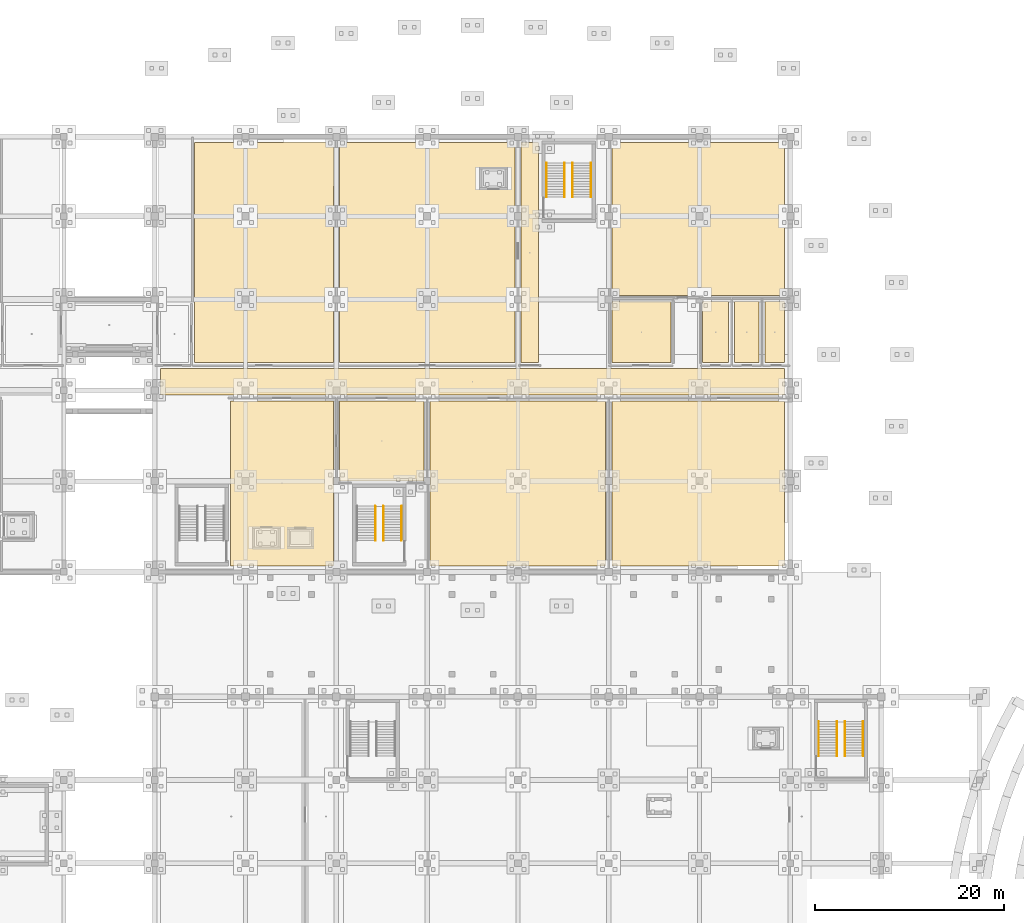
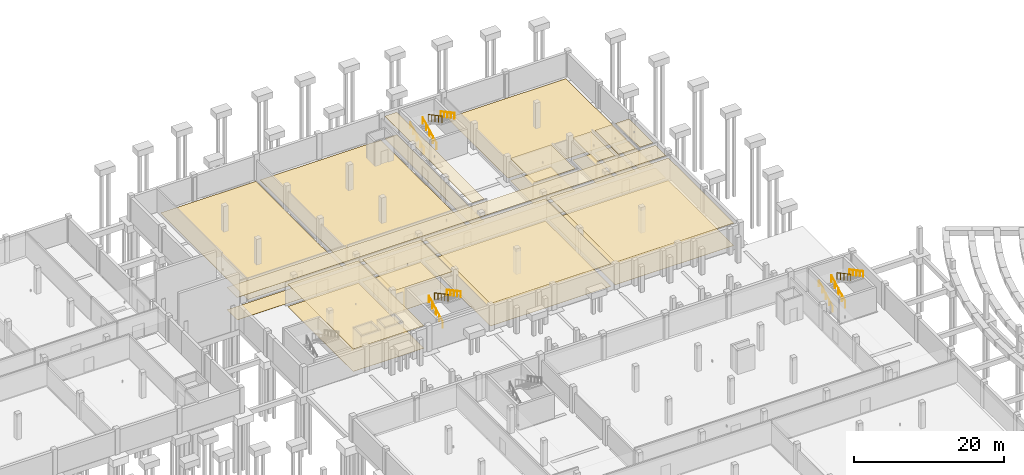
# One storey, part 30 of 31: 23 coverings, 11 railings, 3 elements without a shape of their own.
"""IFC4 building model written with IfcOpenShell, lengths in metres."""

from ifc_helpers import new_model, si_unit, direction, frame, origin, origin_2d, place, context, subcontext, project, spatial, polyline, circle, outline, extrude, material, layer, layer_set, type_object, element, aggregate, save


model = new_model("IFC4")

# Units and contexts
model_context = context("Model", 3, precision=1e-05, world=origin(), true_north=direction((0.0, 1.0)))
body_context = subcontext(model_context, "Body", "Model", "MODEL_VIEW")
ifc_project = project(units=[si_unit("LENGTHUNIT", "METRE"), si_unit("AREAUNIT", "SQUARE_METRE"), si_unit("VOLUMEUNIT", "CUBIC_METRE"), si_unit("PLANEANGLEUNIT", "RADIAN"), si_unit("MASSUNIT", "GRAM", prefix="KILO")], contexts=[model_context])

# Site, building, storey
site_placement = place(None, origin())
site = spatial("IfcSite", under=ifc_project, at=site_placement, CompositionType="ELEMENT")
building_placement = place(site_placement, origin())
building = spatial("IfcBuilding", under=site, at=building_placement, Name="Chalmorin Arch Market", CompositionType="ELEMENT")
storey_placement = place(building_placement, frame((0.0, 0.0, -4.199951171875)))
storey = spatial("IfcBuildingStorey", under=building, at=storey_placement, Name="B1", CompositionType="ELEMENT", Elevation=-4.199951171875)

# Coverings
ifc_material_1 = material(Name="Mineral Fibre Acoustic Tile")
ifc_layer_1 = layer(ifc_material_1, 0.044921875)
ifc_layer_set_1 = layer_set([ifc_layer_1], Name="Mineral Fibre Acoustic Tile")
covering_type_1 = type_object("IfcCoveringType", Name="AcousticBaffleCeiling-45", PredefinedType="CEILING", material=ifc_layer_set_1)
covering_1_placement = place(storey_placement, frame((0.0, 0.0, 3.635009765625)))
element("IfcCovering", 1, at=covering_1_placement, inside=storey, type_object=covering_type_1, Name="CLG-01-018", PredefinedType="CEILING", context=body_context, shape_type="SweptSolid", body=[
    extrude(outline(polyline([(56.02001953125, 72.6201171875), (66.8798828125, 72.6201171875), (66.8798828125, 90.080078125), (56.02001953125, 90.080078125), (56.02001953125, 72.6201171875)])), origin(), (0.0, 0.0, 1.0), 0.044921875),
])
covering_2_placement = place(storey_placement, frame((0.0, 0.0, 3.635009765625)))
element("IfcCovering", 2, at=covering_2_placement, inside=storey, type_object=covering_type_1, Name="CLG-01-020", PredefinedType="CEILING", context=body_context, shape_type="SweptSolid", body=[
    extrude(outline(polyline([(67.52001953125, 81.6201171875), (76.47998046875, 81.6201171875), (76.47998046875, 90.080078125), (67.52001953125, 90.080078125), (67.52001953125, 81.6201171875)])), origin(), (0.0, 0.0, 1.0), 0.044921875),
])
covering_3_placement = place(storey_placement, frame((0.0, 0.0, 3.635009765625)))
element("IfcCovering", 3, at=covering_3_placement, inside=storey, type_object=covering_type_1, Name="CLG-01-022", PredefinedType="CEILING", context=body_context, shape_type="SweptSolid", body=[
    extrude(outline(polyline([(77.1201171875, 72.6201171875), (95.679931640625, 72.6201171875), (95.679931640625, 90.080078125), (77.1201171875, 90.080078125), (77.1201171875, 72.6201171875)])), origin(), (0.0, 0.0, 1.0), 0.044921875),
])
covering_4_placement = place(storey_placement, frame((0.0, 0.0, 3.635009765625)))
element("IfcCovering", 4, at=covering_4_placement, inside=storey, type_object=covering_type_1, Name="CLG-01-024", PredefinedType="CEILING", context=body_context, shape_type="SweptSolid", body=[
    extrude(outline(polyline([(96.320068359375, 72.6201171875), (114.580078125, 72.6201171875), (114.580078125, 90.080078125), (96.320068359375, 90.080078125), (96.320068359375, 72.6201171875)])), origin(), (0.0, 0.0, 1.0), 0.044921875),
])
covering_5_placement = place(storey_placement, frame((0.0, 0.0, 3.635009765625)))
element("IfcCovering", 5, at=covering_5_placement, inside=storey, type_object=covering_type_1, Name="CLG-01-026", PredefinedType="CEILING", context=body_context, shape_type="SweptSolid", body=[
    extrude(outline(polyline([(48.6201171875, 90.719970703125), (114.580078125, 90.719970703125), (114.580078125, 93.47998046875), (48.6201171875, 93.47998046875), (48.6201171875, 90.719970703125)])), origin(), (0.0, 0.0, 1.0), 0.044921875),
])
covering_6_placement = place(storey_placement, frame((0.0, 0.0, 3.635009765625)))
element("IfcCovering", 6, at=covering_6_placement, inside=storey, type_object=covering_type_1, Name="CLG-01-028", PredefinedType="CEILING", context=body_context, shape_type="SweptSolid", body=[
    extrude(outline(polyline([(86.719970703125, 94.1201171875), (88.580078125, 94.1201171875), (88.580078125, 117.3798828125), (86.719970703125, 117.3798828125), (86.719970703125, 94.1201171875)])), origin(), (0.0, 0.0, 1.0), 0.044921875),
])
covering_7_placement = place(storey_placement, frame((0.0, 0.0, 3.635009765625)))
element("IfcCovering", 7, at=covering_7_placement, inside=storey, type_object=covering_type_1, Name="CLG-01-033", PredefinedType="CEILING", context=body_context, shape_type="SweptSolid", body=[
    extrude(outline(polyline([(96.320068359375, 94.1201171875), (102.580078125, 94.1201171875), (102.580078125, 100.580078125), (96.320068359375, 100.580078125), (96.320068359375, 94.1201171875)])), origin(), (0.0, 0.0, 1.0), 0.044921875),
])
ifc_material_2 = material(Name="Epoxy Resin Flooring")
ifc_layer_2 = layer(ifc_material_2, 0.02001953125)
ifc_layer_set_2 = layer_set([ifc_layer_2], Name="Epoxy Resin Flooring")
covering_type_2 = type_object("IfcCoveringType", Name="EpoxySlipResistantKitchenFloor-20", PredefinedType="FLOORING", material=ifc_layer_set_2)
covering_8_placement = place(storey_placement, origin())
element("IfcCovering", 8, at=covering_8_placement, inside=storey, type_object=covering_type_2, Name="FLR-02-023", PredefinedType="FLOORING", context=body_context, shape_type="SweptSolid", body=[
    extrude(outline(polyline([(96.320068359375, 72.6201171875), (114.580078125, 72.6201171875), (114.580078125, 90.080078125), (96.320068359375, 90.080078125), (96.320068359375, 72.6201171875)])), origin(), (0.0, 0.0, 1.0), 0.02001953125),
])
ifc_material_3 = material(Name="Gypsum Board Partition")
ifc_layer_3 = layer(ifc_material_3, 0.030029296875)
ifc_layer_set_3 = layer_set([ifc_layer_3], Name="Gypsum Board Partition")
covering_type_3 = type_object("IfcCoveringType", Name="MoistureResistantGypsumCeiling-30", PredefinedType="CEILING", material=ifc_layer_set_3)
covering_9_placement = place(storey_placement, frame((0.0, 0.0, 3.64990234375)))
element("IfcCovering", 9, at=covering_9_placement, inside=storey, type_object=covering_type_3, Name="CLG-03-035", PredefinedType="CEILING", context=body_context, shape_type="SweptSolid", body=[
    extrude(outline(polyline([(105.919921875, 94.1201171875), (108.679931640625, 94.1201171875), (108.679931640625, 100.580078125), (105.919921875, 100.580078125), (105.919921875, 94.1201171875)])), origin(), (0.0, 0.0, 1.0), 0.030029296875),
])
covering_10_placement = place(storey_placement, frame((0.0, 0.0, 3.64990234375)))
element("IfcCovering", 10, at=covering_10_placement, inside=storey, type_object=covering_type_3, Name="CLG-03-037", PredefinedType="CEILING", context=body_context, shape_type="SweptSolid", body=[
    extrude(outline(polyline([(109.320068359375, 94.1201171875), (111.8798828125, 94.1201171875), (111.8798828125, 100.580078125), (109.320068359375, 100.580078125), (109.320068359375, 94.1201171875)])), origin(), (0.0, 0.0, 1.0), 0.030029296875),
])
covering_11_placement = place(storey_placement, frame((0.0, 0.0, 3.64990234375)))
element("IfcCovering", 11, at=covering_11_placement, inside=storey, type_object=covering_type_3, Name="CLG-03-039", PredefinedType="CEILING", context=body_context, shape_type="SweptSolid", body=[
    extrude(outline(polyline([(112.52001953125, 94.1201171875), (114.580078125, 94.1201171875), (114.580078125, 100.580078125), (112.52001953125, 100.580078125), (112.52001953125, 94.1201171875)])), origin(), (0.0, 0.0, 1.0), 0.030029296875),
])
ifc_material_4 = material(Name="Ceramic Porcelain Tile")
ifc_layer_4 = layer(ifc_material_4, 0.01806640625)
ifc_layer_set_4 = layer_set([ifc_layer_4], Name="Ceramic Porcelain Tile")
covering_type_4 = type_object("IfcCoveringType", Name="PorcelainRestroomTileFloor-18", PredefinedType="FLOORING", material=ifc_layer_set_4)
covering_12_placement = place(storey_placement, origin())
element("IfcCovering", 12, at=covering_12_placement, inside=storey, type_object=covering_type_4, Name="FLR-03-034", PredefinedType="FLOORING", context=body_context, shape_type="SweptSolid", body=[
    extrude(outline(polyline([(105.919921875, 94.1201171875), (108.679931640625, 94.1201171875), (108.679931640625, 100.580078125), (105.919921875, 100.580078125), (105.919921875, 94.1201171875)])), origin(), (0.0, 0.0, 1.0), 0.01806640625),
])
covering_13_placement = place(storey_placement, origin())
element("IfcCovering", 13, at=covering_13_placement, inside=storey, type_object=covering_type_4, Name="FLR-03-036", PredefinedType="FLOORING", context=body_context, shape_type="SweptSolid", body=[
    extrude(outline(polyline([(109.320068359375, 94.1201171875), (111.8798828125, 94.1201171875), (111.8798828125, 100.580078125), (109.320068359375, 100.580078125), (109.320068359375, 94.1201171875)])), origin(), (0.0, 0.0, 1.0), 0.01806640625),
])
covering_14_placement = place(storey_placement, origin())
element("IfcCovering", 14, at=covering_14_placement, inside=storey, type_object=covering_type_4, Name="FLR-03-038", PredefinedType="FLOORING", context=body_context, shape_type="SweptSolid", body=[
    extrude(outline(polyline([(112.52001953125, 94.1201171875), (114.580078125, 94.1201171875), (114.580078125, 100.580078125), (112.52001953125, 100.580078125), (112.52001953125, 94.1201171875)])), origin(), (0.0, 0.0, 1.0), 0.01806640625),
])

# Stair, railings
ifc_material_5 = material(Name="Concrete C40/50", Category="concrete")
stair_type_1 = type_object("IfcStairType", Name="DoglegExitStair-28R-SC4", PredefinedType="HALF_TURN_STAIR", material=ifc_material_5)
stair_1_placement = place(storey_placement, origin())
stair_1 = element("IfcStair", 15, at=stair_1_placement, inside=storey, type_object=stair_type_1, Name="ST-08", PredefinedType="HALF_TURN_STAIR")
ifc_material_6 = material(Name="Stainless Steel 316", Category="steel")
ifc_layer_5 = layer(ifc_material_6, 0.048095703125)
ifc_layer_set_5 = layer_set([ifc_layer_5], Name="Stainless Steel 316")
railing_type_1 = type_object("IfcRailingType", Name="StairTubeHandrail-920", PredefinedType="HANDRAIL", material=ifc_layer_set_5)
railing_1_placement = place(storey_placement, frame((118.199951171875, 52.56005859375, 0.14990234375)))
railing_1 = element("IfcRailing", 16, at=railing_1_placement, type_object=railing_type_1, Name="HR-01-033", PredefinedType="HANDRAIL", context=body_context, shape_type="SweptSolid", body=[
    extrude(circle(Radius=0.02392578125, at=origin_2d()), frame((0.0, 0.0, 0.89599609375), z_axis=(0.0, 0.881479091078, 0.472223053219), x_axis=(-1.0, 0.0, 0.0)), (0.0, 0.0, 1.0), 4.12939453125),
    extrude(circle(Radius=0.02099609375, at=origin_2d()), origin(), (0.0, 0.0, 1.0), 0.871826171875),
    extrude(circle(Radius=0.02099609375, at=origin_2d()), frame((0.0, 0.909912109375, 0.487548828125)), (0.0, 0.0, 1.0), 0.871826171875),
    extrude(circle(Radius=0.02099609375, at=origin_2d()), frame((0.0, 1.81982421875, 0.97509765625)), (0.0, 0.0, 1.0), 0.871826171875),
    extrude(circle(Radius=0.02099609375, at=origin_2d()), frame((0.0, 2.72998046875, 1.46240234375)), (0.0, 0.0, 1.0), 0.871826171875),
    extrude(circle(Radius=0.02099609375, at=origin_2d()), frame((0.0, 3.639892578125, 1.949951171875)), (0.0, 0.0, 1.0), 0.871826171875),
])
railing_2_placement = place(storey_placement, frame((122.89990234375, 56.199951171875, 2.25)))
railing_2 = element("IfcRailing", 17, at=railing_2_placement, type_object=railing_type_1, Name="HR-01-036", PredefinedType="HANDRAIL", context=body_context, shape_type="SweptSolid", body=[
    extrude(circle(Radius=0.02392578125, at=origin_2d()), frame((0.0, 0.0, 0.89599609375), z_axis=(0.0, -0.881479091078, 0.472223053219), x_axis=(1.0, 0.0, 0.0)), (0.0, 0.0, 1.0), 4.12939453125),
    extrude(circle(Radius=0.02099609375, at=origin_2d()), origin(), (0.0, 0.0, 1.0), 0.871826171875),
    extrude(circle(Radius=0.02099609375, at=origin_2d()), frame((0.0, -0.909912109375, 0.487548828125)), (0.0, 0.0, 1.0), 0.871826171875),
    extrude(circle(Radius=0.02099609375, at=origin_2d()), frame((0.0, -1.81982421875, 0.97509765625)), (0.0, 0.0, 1.0), 0.871826171875),
    extrude(circle(Radius=0.02099609375, at=origin_2d()), frame((0.0, -2.72998046875, 1.46240234375)), (0.0, 0.0, 1.0), 0.871826171875),
    extrude(circle(Radius=0.02099609375, at=origin_2d()), frame((0.0, -3.639892578125, 1.949951171875)), (0.0, 0.0, 1.0), 0.871826171875),
])

stair_type_2 = type_object("IfcStairType", Name="DoglegExitStair-28R-SC6", PredefinedType="HALF_TURN_STAIR", material=ifc_material_5)
stair_2_placement = place(storey_placement, origin())
stair_2 = element("IfcStair", 18, at=stair_2_placement, inside=storey, type_object=stair_type_2, Name="ST-15", PredefinedType="HALF_TURN_STAIR")
railing_3_placement = place(storey_placement, frame((89.39990234375, 111.610107421875, 0.14990234375)))
railing_3 = element("IfcRailing", 19, at=railing_3_placement, type_object=railing_type_1, Name="HR-01-063", PredefinedType="HANDRAIL", context=body_context, shape_type="SweptSolid", body=[
    extrude(circle(Radius=0.02392578125, at=origin_2d()), frame((0.0, 0.0, 0.89599609375), z_axis=(0.0, 0.881479091078, 0.472223053219), x_axis=(-1.0, 0.0, 0.0)), (0.0, 0.0, 1.0), 4.12939453125),
    extrude(circle(Radius=0.02099609375, at=origin_2d()), origin(), (0.0, 0.0, 1.0), 0.871826171875),
    extrude(circle(Radius=0.02099609375, at=origin_2d()), frame((0.0, 0.909912109375, 0.487548828125)), (0.0, 0.0, 1.0), 0.871826171875),
    extrude(circle(Radius=0.02099609375, at=origin_2d()), frame((0.0, 1.81982421875, 0.97509765625)), (0.0, 0.0, 1.0), 0.871826171875),
    extrude(circle(Radius=0.02099609375, at=origin_2d()), frame((0.0, 2.72998046875, 1.46240234375)), (0.0, 0.0, 1.0), 0.871826171875),
    extrude(circle(Radius=0.02099609375, at=origin_2d()), frame((0.0, 3.639892578125, 1.949951171875)), (0.0, 0.0, 1.0), 0.871826171875),
])
railing_4_placement = place(storey_placement, frame((94.10009765625, 115.25, 2.25)))
railing_4 = element("IfcRailing", 20, at=railing_4_placement, type_object=railing_type_1, Name="HR-01-066", PredefinedType="HANDRAIL", context=body_context, shape_type="SweptSolid", body=[
    extrude(circle(Radius=0.02392578125, at=origin_2d()), frame((0.0, 0.0, 0.89599609375), z_axis=(0.0, -0.881479091078, 0.472223053219), x_axis=(1.0, 0.0, 0.0)), (0.0, 0.0, 1.0), 4.12939453125),
    extrude(circle(Radius=0.02099609375, at=origin_2d()), origin(), (0.0, 0.0, 1.0), 0.871826171875),
    extrude(circle(Radius=0.02099609375, at=origin_2d()), frame((0.0, -0.909912109375, 0.487548828125)), (0.0, 0.0, 1.0), 0.871826171875),
    extrude(circle(Radius=0.02099609375, at=origin_2d()), frame((0.0, -1.81982421875, 0.97509765625)), (0.0, 0.0, 1.0), 0.871826171875),
    extrude(circle(Radius=0.02099609375, at=origin_2d()), frame((0.0, -2.72998046875, 1.46240234375)), (0.0, 0.0, 1.0), 0.871826171875),
    extrude(circle(Radius=0.02099609375, at=origin_2d()), frame((0.0, -3.639892578125, 1.949951171875)), (0.0, 0.0, 1.0), 0.871826171875),
])

# Stair, railing
stair_type_3 = type_object("IfcStairType", Name="DoglegExitStair-28R-SC7", PredefinedType="HALF_TURN_STAIR", material=ifc_material_5)
stair_3_placement = place(storey_placement, origin())
stair_3 = element("IfcStair", 21, at=stair_3_placement, inside=storey, type_object=stair_type_3, Name="ST-19", PredefinedType="HALF_TURN_STAIR")
railing_5_placement = place(storey_placement, frame((74.10009765625, 78.949951171875, 2.25)))
railing_5 = element("IfcRailing", 22, at=railing_5_placement, type_object=railing_type_1, Name="HR-01-083", PredefinedType="HANDRAIL", context=body_context, shape_type="SweptSolid", body=[
    extrude(circle(Radius=0.02392578125, at=origin_2d()), frame((0.0, 0.0, 0.89599609375), z_axis=(0.0, -0.881479091078, 0.472223053219), x_axis=(1.0, 0.0, 0.0)), (0.0, 0.0, 1.0), 4.12939453125),
    extrude(circle(Radius=0.02099609375, at=origin_2d()), origin(), (0.0, 0.0, 1.0), 0.871826171875),
    extrude(circle(Radius=0.02099609375, at=origin_2d()), frame((0.0, -0.909912109375, 0.487548828125)), (0.0, 0.0, 1.0), 0.871826171875),
    extrude(circle(Radius=0.02099609375, at=origin_2d()), frame((0.0, -1.81982421875, 0.97509765625)), (0.0, 0.0, 1.0), 0.871826171875),
    extrude(circle(Radius=0.02099609375, at=origin_2d()), frame((0.0, -2.72998046875, 1.46240234375)), (0.0, 0.0, 1.0), 0.871826171875),
    extrude(circle(Radius=0.02099609375, at=origin_2d()), frame((0.0, -3.639892578125, 1.949951171875)), (0.0, 0.0, 1.0), 0.871826171875),
])

# Railing
ifc_material_7 = material(Name="Galvanised Steel", Category="steel")
ifc_layer_6 = layer(ifc_material_7, 0.054931640625)
ifc_layer_set_6 = layer_set([ifc_layer_6], Name="Galvanised Steel")
railing_type_2 = type_object("IfcRailingType", Name="StairWellGuardrail-1100", PredefinedType="GUARDRAIL", material=ifc_layer_set_6)
railing_6_placement = place(storey_placement, frame((120.1298828125, 52.56005859375, 0.14990234375)))
railing_6 = element("IfcRailing", 23, at=railing_6_placement, type_object=railing_type_2, Name="SG-01-034", PredefinedType="GUARDRAIL", context=body_context, shape_type="SweptSolid", body=[
    extrude(circle(Radius=0.02392578125, at=origin_2d()), frame((0.0, 0.0, 1.076171875), z_axis=(0.0, 0.881479091078, 0.472223053219), x_axis=(-1.0, 0.0, 0.0)), (0.0, 0.0, 1.0), 4.12939453125),
    extrude(circle(Radius=0.02099609375, at=origin_2d()), origin(), (0.0, 0.0, 1.0), 1.052001953125),
    extrude(circle(Radius=0.02099609375, at=origin_2d()), frame((0.0, 0.909912109375, 0.487548828125)), (0.0, 0.0, 1.0), 1.052001953125),
    extrude(circle(Radius=0.02099609375, at=origin_2d()), frame((0.0, 1.81982421875, 0.97509765625)), (0.0, 0.0, 1.0), 1.052001953125),
    extrude(circle(Radius=0.02099609375, at=origin_2d()), frame((0.0, 2.72998046875, 1.46240234375)), (0.0, 0.0, 1.0), 1.052001953125),
    extrude(circle(Radius=0.02099609375, at=origin_2d()), frame((0.0, 3.639892578125, 1.949951171875)), (0.0, 0.0, 1.0), 1.052001953125),
])

railing_7_placement = place(storey_placement, frame((120.969970703125, 56.199951171875, 2.25)))
railing_7 = element("IfcRailing", 24, at=railing_7_placement, type_object=railing_type_2, Name="SG-01-035", PredefinedType="GUARDRAIL", context=body_context, shape_type="SweptSolid", body=[
    extrude(circle(Radius=0.02392578125, at=origin_2d()), frame((0.0, 0.0, 1.076171875), z_axis=(0.0, -0.881479091078, 0.472223053219), x_axis=(1.0, 0.0, 0.0)), (0.0, 0.0, 1.0), 4.12939453125),
    extrude(circle(Radius=0.02099609375, at=origin_2d()), origin(), (0.0, 0.0, 1.0), 1.052001953125),
    extrude(circle(Radius=0.02099609375, at=origin_2d()), frame((0.0, -0.909912109375, 0.487548828125)), (0.0, 0.0, 1.0), 1.052001953125),
    extrude(circle(Radius=0.02099609375, at=origin_2d()), frame((0.0, -1.81982421875, 0.97509765625)), (0.0, 0.0, 1.0), 1.052001953125),
    extrude(circle(Radius=0.02099609375, at=origin_2d()), frame((0.0, -2.72998046875, 1.46240234375)), (0.0, 0.0, 1.0), 1.052001953125),
    extrude(circle(Radius=0.02099609375, at=origin_2d()), frame((0.0, -3.639892578125, 1.949951171875)), (0.0, 0.0, 1.0), 1.052001953125),
])

aggregate(stair_1, [railing_1, railing_6, railing_7, railing_2])

railing_8_placement = place(storey_placement, frame((91.330078125, 111.610107421875, 0.14990234375)))
railing_8 = element("IfcRailing", 25, at=railing_8_placement, type_object=railing_type_2, Name="SG-01-064", PredefinedType="GUARDRAIL", context=body_context, shape_type="SweptSolid", body=[
    extrude(circle(Radius=0.02392578125, at=origin_2d()), frame((0.0, 0.0, 1.076171875), z_axis=(0.0, 0.881479091078, 0.472223053219), x_axis=(-1.0, 0.0, 0.0)), (0.0, 0.0, 1.0), 4.12939453125),
    extrude(circle(Radius=0.02099609375, at=origin_2d()), origin(), (0.0, 0.0, 1.0), 1.052001953125),
    extrude(circle(Radius=0.02099609375, at=origin_2d()), frame((0.0, 0.909912109375, 0.487548828125)), (0.0, 0.0, 1.0), 1.052001953125),
    extrude(circle(Radius=0.02099609375, at=origin_2d()), frame((0.0, 1.81982421875, 0.97509765625)), (0.0, 0.0, 1.0), 1.052001953125),
    extrude(circle(Radius=0.02099609375, at=origin_2d()), frame((0.0, 2.72998046875, 1.46240234375)), (0.0, 0.0, 1.0), 1.052001953125),
    extrude(circle(Radius=0.02099609375, at=origin_2d()), frame((0.0, 3.639892578125, 1.949951171875)), (0.0, 0.0, 1.0), 1.052001953125),
])

railing_9_placement = place(storey_placement, frame((92.169921875, 115.25, 2.25)))
railing_9 = element("IfcRailing", 26, at=railing_9_placement, type_object=railing_type_2, Name="SG-01-065", PredefinedType="GUARDRAIL", context=body_context, shape_type="SweptSolid", body=[
    extrude(circle(Radius=0.02392578125, at=origin_2d()), frame((0.0, 0.0, 1.076171875), z_axis=(0.0, -0.881479091078, 0.472223053219), x_axis=(1.0, 0.0, 0.0)), (0.0, 0.0, 1.0), 4.12939453125),
    extrude(circle(Radius=0.02099609375, at=origin_2d()), origin(), (0.0, 0.0, 1.0), 1.052001953125),
    extrude(circle(Radius=0.02099609375, at=origin_2d()), frame((0.0, -0.909912109375, 0.487548828125)), (0.0, 0.0, 1.0), 1.052001953125),
    extrude(circle(Radius=0.02099609375, at=origin_2d()), frame((0.0, -1.81982421875, 0.97509765625)), (0.0, 0.0, 1.0), 1.052001953125),
    extrude(circle(Radius=0.02099609375, at=origin_2d()), frame((0.0, -2.72998046875, 1.46240234375)), (0.0, 0.0, 1.0), 1.052001953125),
    extrude(circle(Radius=0.02099609375, at=origin_2d()), frame((0.0, -3.639892578125, 1.949951171875)), (0.0, 0.0, 1.0), 1.052001953125),
])

aggregate(stair_2, [railing_3, railing_8, railing_9, railing_4])

railing_10_placement = place(storey_placement, frame((71.330078125, 75.31005859375, 0.14990234375)))
railing_10 = element("IfcRailing", 27, at=railing_10_placement, type_object=railing_type_2, Name="SG-01-081", PredefinedType="GUARDRAIL", context=body_context, shape_type="SweptSolid", body=[
    extrude(circle(Radius=0.02392578125, at=origin_2d()), frame((0.0, 0.0, 1.076171875), z_axis=(0.0, 0.881479091078, 0.472223053219), x_axis=(-1.0, 0.0, 0.0)), (0.0, 0.0, 1.0), 4.12939453125),
    extrude(circle(Radius=0.02099609375, at=origin_2d()), origin(), (0.0, 0.0, 1.0), 1.052001953125),
    extrude(circle(Radius=0.02099609375, at=origin_2d()), frame((0.0, 0.909912109375, 0.487548828125)), (0.0, 0.0, 1.0), 1.052001953125),
    extrude(circle(Radius=0.02099609375, at=origin_2d()), frame((0.0, 1.81982421875, 0.97509765625)), (0.0, 0.0, 1.0), 1.052001953125),
    extrude(circle(Radius=0.02099609375, at=origin_2d()), frame((0.0, 2.72998046875, 1.46240234375)), (0.0, 0.0, 1.0), 1.052001953125),
    extrude(circle(Radius=0.02099609375, at=origin_2d()), frame((0.0, 3.639892578125, 1.949951171875)), (0.0, 0.0, 1.0), 1.052001953125),
])

railing_11_placement = place(storey_placement, frame((72.169921875, 78.949951171875, 2.25)))
railing_11 = element("IfcRailing", 28, at=railing_11_placement, type_object=railing_type_2, Name="SG-01-082", PredefinedType="GUARDRAIL", context=body_context, shape_type="SweptSolid", body=[
    extrude(circle(Radius=0.02392578125, at=origin_2d()), frame((0.0, 0.0, 1.076171875), z_axis=(0.0, -0.881479091078, 0.472223053219), x_axis=(1.0, 0.0, 0.0)), (0.0, 0.0, 1.0), 4.12939453125),
    extrude(circle(Radius=0.02099609375, at=origin_2d()), origin(), (0.0, 0.0, 1.0), 1.052001953125),
    extrude(circle(Radius=0.02099609375, at=origin_2d()), frame((0.0, -0.909912109375, 0.487548828125)), (0.0, 0.0, 1.0), 1.052001953125),
    extrude(circle(Radius=0.02099609375, at=origin_2d()), frame((0.0, -1.81982421875, 0.97509765625)), (0.0, 0.0, 1.0), 1.052001953125),
    extrude(circle(Radius=0.02099609375, at=origin_2d()), frame((0.0, -2.72998046875, 1.46240234375)), (0.0, 0.0, 1.0), 1.052001953125),
    extrude(circle(Radius=0.02099609375, at=origin_2d()), frame((0.0, -3.639892578125, 1.949951171875)), (0.0, 0.0, 1.0), 1.052001953125),
])

aggregate(stair_3, [railing_10, railing_11, railing_5])

# Coverings
ifc_material_8 = material(Name="Polished Terrazzo")
ifc_layer_7 = layer(ifc_material_8, 0.02490234375)
ifc_layer_set_7 = layer_set([ifc_layer_7], Name="Polished Terrazzo")
covering_type_5 = type_object("IfcCoveringType", Name="TerrazzoMarketFloorFinish-25", PredefinedType="FLOORING", material=ifc_layer_set_7)
covering_15_placement = place(storey_placement, origin())
element("IfcCovering", 29, at=covering_15_placement, inside=storey, type_object=covering_type_5, Name="FLR-01-017", PredefinedType="FLOORING", context=body_context, shape_type="SweptSolid", body=[
    extrude(outline(polyline([(56.02001953125, 72.6201171875), (66.8798828125, 72.6201171875), (66.8798828125, 90.080078125), (56.02001953125, 90.080078125), (56.02001953125, 72.6201171875)])), origin(), (0.0, 0.0, 1.0), 0.02490234375),
])
covering_16_placement = place(storey_placement, origin())
element("IfcCovering", 30, at=covering_16_placement, inside=storey, type_object=covering_type_5, Name="FLR-01-019", PredefinedType="FLOORING", context=body_context, shape_type="SweptSolid", body=[
    extrude(outline(polyline([(67.52001953125, 81.6201171875), (76.47998046875, 81.6201171875), (76.47998046875, 90.080078125), (67.52001953125, 90.080078125), (67.52001953125, 81.6201171875)])), origin(), (0.0, 0.0, 1.0), 0.02490234375),
])
covering_17_placement = place(storey_placement, origin())
element("IfcCovering", 31, at=covering_17_placement, inside=storey, type_object=covering_type_5, Name="FLR-01-021", PredefinedType="FLOORING", context=body_context, shape_type="SweptSolid", body=[
    extrude(outline(polyline([(77.1201171875, 72.6201171875), (95.679931640625, 72.6201171875), (95.679931640625, 90.080078125), (77.1201171875, 90.080078125), (77.1201171875, 72.6201171875)])), origin(), (0.0, 0.0, 1.0), 0.02490234375),
])
covering_18_placement = place(storey_placement, origin())
element("IfcCovering", 32, at=covering_18_placement, inside=storey, type_object=covering_type_5, Name="FLR-01-025", PredefinedType="FLOORING", context=body_context, shape_type="SweptSolid", body=[
    extrude(outline(polyline([(48.6201171875, 90.719970703125), (114.580078125, 90.719970703125), (114.580078125, 93.47998046875), (48.6201171875, 93.47998046875), (48.6201171875, 90.719970703125)])), origin(), (0.0, 0.0, 1.0), 0.02490234375),
])
covering_19_placement = place(storey_placement, origin())
element("IfcCovering", 33, at=covering_19_placement, inside=storey, type_object=covering_type_5, Name="FLR-01-027", PredefinedType="FLOORING", context=body_context, shape_type="SweptSolid", body=[
    extrude(outline(polyline([(86.719970703125, 94.1201171875), (88.580078125, 94.1201171875), (88.580078125, 117.3798828125), (86.719970703125, 117.3798828125), (86.719970703125, 94.1201171875)])), origin(), (0.0, 0.0, 1.0), 0.02490234375),
])
covering_20_placement = place(storey_placement, origin())
element("IfcCovering", 34, at=covering_20_placement, inside=storey, type_object=covering_type_5, Name="FLR-01-029", PredefinedType="FLOORING", context=body_context, shape_type="SweptSolid", body=[
    extrude(outline(polyline([(52.219970703125, 94.1201171875), (66.8798828125, 94.1201171875), (66.8798828125, 117.3798828125), (52.219970703125, 117.3798828125), (52.219970703125, 94.1201171875)])), origin(), (0.0, 0.0, 1.0), 0.02490234375),
])
covering_21_placement = place(storey_placement, origin())
element("IfcCovering", 35, at=covering_21_placement, inside=storey, type_object=covering_type_5, Name="FLR-01-030", PredefinedType="FLOORING", context=body_context, shape_type="SweptSolid", body=[
    extrude(outline(polyline([(67.52001953125, 94.1201171875), (86.080078125, 94.1201171875), (86.080078125, 117.3798828125), (67.52001953125, 117.3798828125), (67.52001953125, 94.1201171875)])), origin(), (0.0, 0.0, 1.0), 0.02490234375),
])
covering_22_placement = place(storey_placement, origin())
element("IfcCovering", 36, at=covering_22_placement, inside=storey, type_object=covering_type_5, Name="FLR-01-031", PredefinedType="FLOORING", context=body_context, shape_type="SweptSolid", body=[
    extrude(outline(polyline([(96.320068359375, 101.219970703125), (114.580078125, 101.219970703125), (114.580078125, 117.3798828125), (96.320068359375, 117.3798828125), (96.320068359375, 101.219970703125)])), origin(), (0.0, 0.0, 1.0), 0.02490234375),
])
covering_23_placement = place(storey_placement, origin())
element("IfcCovering", 37, at=covering_23_placement, inside=storey, type_object=covering_type_5, Name="FLR-01-032", PredefinedType="FLOORING", context=body_context, shape_type="SweptSolid", body=[
    extrude(outline(polyline([(96.320068359375, 94.1201171875), (102.580078125, 94.1201171875), (102.580078125, 100.580078125), (96.320068359375, 100.580078125), (96.320068359375, 94.1201171875)])), origin(), (0.0, 0.0, 1.0), 0.02490234375),
])

save(model, "model.ifc")
